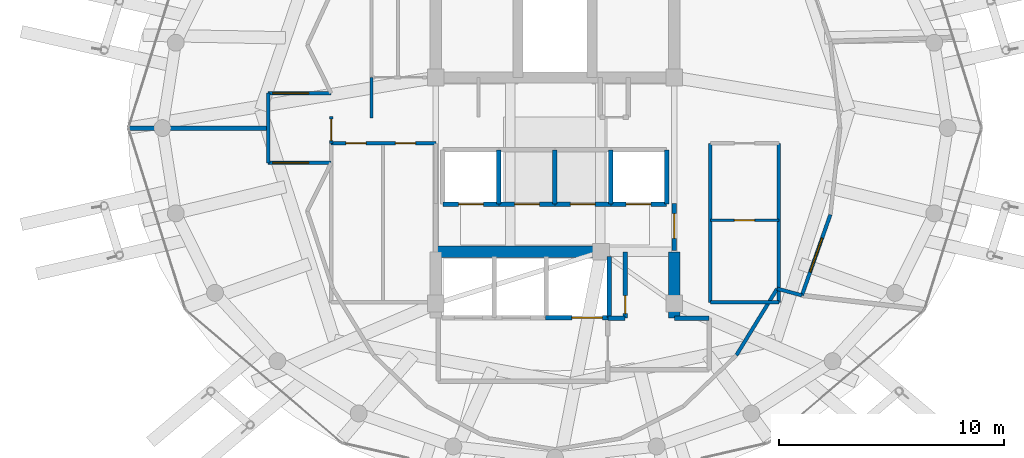
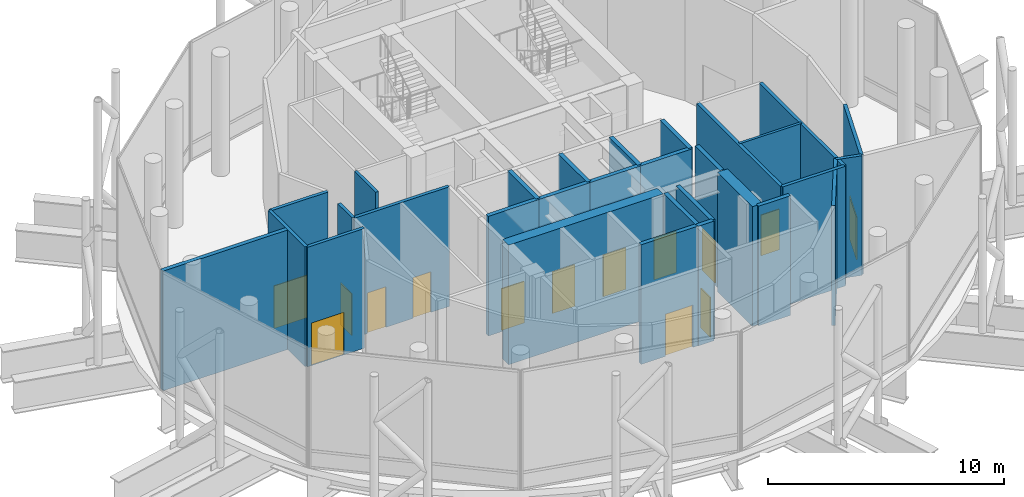
# One storey, part 21 of 26: 30 walls, 14 doors, 14 openings.
"""IFC4 building model written with IfcOpenShell, lengths in metres."""

from ifc_helpers import new_model, si_unit, direction, frame, frame_2d, origin, place, context, subcontext, project, spatial, rectangle, extrude, material, layer, layer_set, type_object, element, fill, save


model = new_model("IFC4")

# Units and contexts
model_context = context("Model", 3, precision=1e-05, world=origin(), true_north=direction((0.0, 1.0)))
body_context = subcontext(model_context, "Body", "Model", "MODEL_VIEW")
ifc_project = project(units=[si_unit("LENGTHUNIT", "METRE"), si_unit("AREAUNIT", "SQUARE_METRE"), si_unit("VOLUMEUNIT", "CUBIC_METRE"), si_unit("PLANEANGLEUNIT", "RADIAN"), si_unit("MASSUNIT", "GRAM", prefix="KILO")], contexts=[model_context])

# Site, building, storey
site_placement = place(None, origin())
site = spatial("IfcSite", under=ifc_project, at=site_placement, CompositionType="ELEMENT")
building_placement = place(site_placement, origin())
building = spatial("IfcBuilding", under=site, at=building_placement, Name="Nuhasar Tower", CompositionType="ELEMENT")
storey_placement = place(building_placement, frame((0.0, 0.0, 306.800048828125)))
storey = spatial("IfcBuildingStorey", under=building, at=storey_placement, Name="L76", CompositionType="ELEMENT", Elevation=306.800048828125)

# Walls
ifc_material_1 = material(Name="Concrete C50/60", Category="concrete")
ifc_layer_1 = layer(ifc_material_1, 0.5)
ifc_layer_set_1 = layer_set([ifc_layer_1], Name="Concrete C50/60")
wall_type_1 = type_object("IfcWallType", Name="WL-CORE-500", PredefinedType="SHEAR", material=ifc_layer_set_1)
wall_1_placement = place(storey_placement, frame((44.300048828125, 18.35009765625, 0.0), z_axis=(0.0, 0.0, 1.0), x_axis=(0.0, 1.0, 0.0)))
element("IfcWall", 1, at=wall_1_placement, inside=storey, type_object=wall_type_1, Name="L76 Core Shear Wall CW-SE CW-500", PredefinedType="SHEAR", context=body_context, shape_type="SweptSolid", body=[
    extrude(rectangle(XDim=2.949951171875, YDim=0.5, at=frame_2d((1.47509765625, 0.0))), origin(), (0.0, 0.0, 1.0), 6.179931640625),
])
wall_2_placement = place(storey_placement, frame((33.699951171875, 21.300048828125, 0.0), z_axis=(0.0, 0.0, 1.0), x_axis=(1.0, 0.0, 0.0)))
element("IfcWall", 2, at=wall_2_placement, inside=storey, type_object=wall_type_1, Name="L76 Core Shear Wall CW-S1 CW-500", PredefinedType="SHEAR", context=body_context, shape_type="SweptSolid", body=[
    extrude(rectangle(XDim=7.550048828125, YDim=0.5, at=frame_2d((3.77490234375, 0.0))), origin(), (0.0, 0.0, 1.0), 6.179931640625),
])

# Wall, openings, doors
ifc_material_2 = material(Name="Gypsum Board", Category="gypsum")
ifc_layer_2 = layer(ifc_material_2, 0.159912109375)
ifc_layer_set_2 = layer_set([ifc_layer_2], Name="Gypsum Board")
wall_type_2 = type_object("IfcWallType", Name="WL-CORR-160", PredefinedType="PARTITIONING", material=ifc_layer_set_2)
wall_3_placement = place(storey_placement, frame((33.699951171875, 26.1201171875, 0.0), z_axis=(0.0, 0.0, 1.0), x_axis=(-1.0, 0.0, 0.0)))
wall_3 = element("IfcWall", 3, at=wall_3_placement, inside=storey, type_object=wall_type_2, Name="L76 Interior Partition RECL-B1-N", PredefinedType="PARTITIONING", context=body_context, shape_type="SweptSolid", body=[
    extrude(rectangle(XDim=4.64990234375, YDim=0.159912109375, at=frame_2d((2.324951171875, 0.0))), origin(), (0.0, 0.0, 1.0), 6.179931640625),
])
opening_1_placement = place(wall_3_placement, frame((3.10009765625, 0.0, 0.0)))
opening_1 = element("IfcOpeningElement", 4, at=opening_1_placement, cuts=wall_3, Name="Opening DR-01", PredefinedType="OPENING", context=body_context, shape_type="SweptSolid", body=[
    extrude(rectangle(XDim=0.89990234375, YDim=2.10009765625, at=frame_2d((0.449951171875, 1.050048828125))), frame((0.0, 0.08984375, 0.0), z_axis=(0.0, -1.0, 0.0), x_axis=(1.0, 0.0, 0.0)), (0.0, 0.0, 1.0), 0.179931640625),
])
opening_2_placement = place(wall_3_placement, frame((0.89990234375, 0.0, 0.0)))
opening_2 = element("IfcOpeningElement", 5, at=opening_2_placement, cuts=wall_3, Name="Opening DR-01", PredefinedType="OPENING", context=body_context, shape_type="SweptSolid", body=[
    extrude(rectangle(XDim=0.89990234375, YDim=2.10009765625, at=frame_2d((0.449951171875, 1.050048828125))), frame((0.0, 0.08984375, 0.0), z_axis=(0.0, -1.0, 0.0), x_axis=(1.0, 0.0, 0.0)), (0.0, 0.0, 1.0), 0.179931640625),
])
ifc_material_3 = material(Name="Timber Oak", Category="wood")
door_type_1 = type_object("IfcDoorType", Name="DR-ROOM-900", OperationType="NOTDEFINED", PredefinedType="DOOR", material=ifc_material_3)
door_1_placement = place(opening_1_placement, origin())
door_1 = element("IfcDoor", 6, at=door_1_placement, inside=storey, type_object=door_type_1, Name="L76 Housekeeping Door", OperationType="SINGLE_SWING_RIGHT", OverallHeight=2.10009765625, OverallWidth=0.89990234375, PredefinedType="DOOR", context=body_context, shape_type="SweptSolid", body=[
    extrude(rectangle(XDim=0.89990234375, YDim=2.10009765625, at=frame_2d((0.449951171875, 1.050048828125))), frame((0.0, 0.02490234375, 0.0), z_axis=(0.0, -1.0, 0.0), x_axis=(1.0, 0.0, 0.0)), (0.0, 0.0, 1.0), 0.050048828125),
])
fill(opening_1, door_1)
door_2_placement = place(opening_2_placement, origin())
door_2 = element("IfcDoor", 7, at=door_2_placement, inside=storey, type_object=door_type_1, Name="L76 Valet Pantry Door", OperationType="SINGLE_SWING_LEFT", OverallHeight=2.10009765625, OverallWidth=0.89990234375, PredefinedType="DOOR", context=body_context, shape_type="SweptSolid", body=[
    extrude(rectangle(XDim=0.89990234375, YDim=2.10009765625, at=frame_2d((0.449951171875, 1.050048828125))), frame((0.0, 0.02490234375, 0.0), z_axis=(0.0, -1.0, 0.0), x_axis=(1.0, 0.0, 0.0)), (0.0, 0.0, 1.0), 0.050048828125),
])
fill(opening_2, door_2)

# Walls
wall_4_placement = place(storey_placement, frame((45.89990234375, 19.050048828125, 0.0), z_axis=(0.0, 0.0, 1.0), x_axis=(1.0, 0.0, 0.0)))
element("IfcWall", 8, at=wall_4_placement, inside=storey, type_object=wall_type_2, Name="L76 Interior Partition RECL-B2-S", PredefinedType="PARTITIONING", context=body_context, shape_type="SweptSolid", body=[
    extrude(rectangle(XDim=3.050048828125, YDim=0.159912109375, at=frame_2d((1.52490234375, 0.0))), origin(), (0.0, 0.0, 1.0), 6.179931640625),
])
for number, where, z_axis, x_axis, name in (
    (9, (48.949951171875, 19.050048828125, 0.0), (0.0, 0.0, 1.0), (0.0, 1.0, 0.0), "L76 Interior Partition RECL-B2-E"),
    (10, (45.89990234375, 19.050048828125, 0.0), (0.0, 0.0, 1.0), (0.0, 1.0, 0.0), "L76 Interior Partition RECL-B2-W"),
):
    element("IfcWall", number, at=place(storey_placement, frame(where, z_axis=z_axis, x_axis=x_axis)), inside=storey, type_object=wall_type_2, Name=name, PredefinedType="PARTITIONING", context=body_context, shape_type="SweptSolid", body=[
        extrude(rectangle(XDim=7.070068359375, YDim=0.159912109375, at=frame_2d((3.53515625, 0.0))), origin(), (0.0, 0.0, 1.0), 6.179931640625),
    ])

# Wall, opening, door
wall_5_placement = place(storey_placement, frame((29.050048828125, 26.1201171875, 0.0), z_axis=(0.0, 0.0, 1.0), x_axis=(0.0, 1.0, 0.0)))
wall_5 = element("IfcWall", 11, at=wall_5_placement, inside=storey, type_object=wall_type_2, Name="L76 Interior Partition WVEST-E", PredefinedType="PARTITIONING", context=body_context, shape_type="SweptSolid", body=[
    extrude(rectangle(XDim=1.199951171875, YDim=0.159912109375, at=frame_2d((0.60009765625, 0.0))), origin(), (0.0, 0.0, 1.0), 6.179931640625),
])
opening_3_placement = place(wall_5_placement, frame((0.125, 0.0, 0.0)))
opening_3 = element("IfcOpeningElement", 12, at=opening_3_placement, cuts=wall_5, Name="Opening DO-01", PredefinedType="OPENING", context=body_context, shape_type="SweptSolid", body=[
    extrude(rectangle(XDim=0.949951171875, YDim=2.14990234375, at=frame_2d((0.47509765625, 1.074951171875))), frame((0.0, 0.08984375, 0.0), z_axis=(0.0, -1.0, 0.0), x_axis=(1.0, 0.0, 0.0)), (0.0, 0.0, 1.0), 0.179931640625),
])
door_type_2 = type_object("IfcDoorType", Name="DR-OFFICE-FD30-950", OperationType="NOTDEFINED", PredefinedType="DOOR", material=ifc_material_3)
door_3_placement = place(opening_3_placement, origin())
door_3 = element("IfcDoor", 13, at=door_3_placement, inside=storey, type_object=door_type_2, Name="L76 West Arrival Foyer Core Door", OperationType="SINGLE_SWING_RIGHT", OverallHeight=2.14990234375, OverallWidth=0.949951171875, PredefinedType="DOOR", context=body_context, shape_type="SweptSolid", body=[
    extrude(rectangle(XDim=0.949951171875, YDim=2.14990234375, at=frame_2d((0.47509765625, 1.074951171875))), frame((0.0, 0.02490234375, 0.0), z_axis=(0.0, -1.0, 0.0), x_axis=(1.0, 0.0, 0.0)), (0.0, 0.0, 1.0), 0.050048828125),
])
fill(opening_3, door_3)

wall_6_placement = place(storey_placement, frame((51.238037109375, 22.950927734375, 0.0), z_axis=(0.0, 0.0, 1.0), x_axis=(-0.332705930675, -0.943030627124, 0.0)))
wall_6 = element("IfcWall", 14, at=wall_6_placement, inside=storey, type_object=wall_type_2, Name="L76 Interior Partition CORR-44", PredefinedType="PARTITIONING", context=body_context, shape_type="SweptSolid", body=[
    extrude(rectangle(XDim=3.802490234375, YDim=0.159912109375, at=frame_2d((1.9013671875, 0.0))), origin(), (0.0, 0.0, 1.0), 6.179931640625),
])
opening_4_placement = place(wall_6_placement, frame((1.10107421875, 0.0, 0.0)))
opening_4 = element("IfcOpeningElement", 15, at=opening_4_placement, cuts=wall_6, Name="Opening DC-01", PredefinedType="OPENING", context=body_context, shape_type="SweptSolid", body=[
    extrude(rectangle(XDim=1.60009765625, YDim=2.199951171875, at=frame_2d((0.800048828125, 1.10009765625))), frame((0.0, 0.08984375, 0.0), z_axis=(0.0, -1.0, 0.0), x_axis=(1.0, 0.0, 0.0)), (0.0, 0.0, 1.0), 0.179931640625),
])
ifc_material_4 = material(Name="Steel S355", Category="steel")
door_type_3 = type_object("IfcDoorType", Name="DR-CORR-FD60-1600", OperationType="DOUBLE_DOOR_SINGLE_SWING", PredefinedType="DOOR", material=ifc_material_4)
door_4_placement = place(opening_4_placement, origin())
door_4 = element("IfcDoor", 16, at=door_4_placement, inside=storey, type_object=door_type_3, Name="L76 South-East Management Office Door", OperationType="DOUBLE_DOOR_SINGLE_SWING", OverallHeight=2.199951171875, OverallWidth=1.60009765625, PredefinedType="DOOR", context=body_context, shape_type="SweptSolid", body=[
    extrude(rectangle(XDim=1.60009765625, YDim=2.199951171875, at=frame_2d((0.800048828125, 1.10009765625))), frame((0.0, 0.02490234375, 0.0), z_axis=(0.0, -1.0, 0.0), x_axis=(1.0, 0.0, 0.0)), (0.0, 0.0, 1.0), 0.050048828125),
])
fill(opening_4, door_4)

# Walls
wall_7_placement = place(storey_placement, frame((48.873046875, 19.659912109375, 0.0), z_axis=(0.0, 0.0, 1.0), x_axis=(0.965878165217, -0.258996853181, 0.0)))
element("IfcWall", 17, at=wall_7_placement, inside=storey, type_object=wall_type_2, Name="L76 Interior Partition SRAD-44-IN", PredefinedType="PARTITIONING", context=body_context, shape_type="SweptSolid", body=[
    extrude(rectangle(XDim=1.138671875, YDim=0.159912109375, at=frame_2d((0.5693359375, 0.0))), origin(), (0.0, 0.0, 1.0), 6.179931640625),
])
wall_8_placement = place(storey_placement, frame((47.06103515625, 16.702880859375, 0.0), z_axis=(0.0, 0.0, 1.0), x_axis=(0.522486120877, 0.852647789823, 0.0)))
element("IfcWall", 18, at=wall_8_placement, inside=storey, type_object=wall_type_2, Name="L76 Interior Partition SWEST-CORE-S-42", PredefinedType="PARTITIONING", context=body_context, shape_type="SweptSolid", body=[
    extrude(rectangle(XDim=3.468017578125, YDim=0.159912109375, at=frame_2d((1.73388671875, 0.0))), origin(), (0.0, 0.0, 1.0), 6.179931640625),
])

# Wall, opening, door
wall_9_placement = place(storey_placement, frame((26.25, 28.35009765625, 0.0), z_axis=(0.0, 0.0, 1.0), x_axis=(1.0, 0.0, 0.0)))
wall_9 = element("IfcWall", 19, at=wall_9_placement, inside=storey, type_object=wall_type_2, Name="L76 Interior Partition WVEST-N", PredefinedType="PARTITIONING", context=body_context, shape_type="SweptSolid", body=[
    extrude(rectangle(XDim=2.800048828125, YDim=0.159912109375, at=frame_2d((1.39990234375, 0.0))), origin(), (0.0, 0.0, 1.0), 6.179931640625),
])
opening_5_placement = place(wall_9_placement, frame((0.199951171875, 0.0, 0.0)))
opening_5 = element("IfcOpeningElement", 20, at=opening_5_placement, cuts=wall_9, Name="Opening DC-01", PredefinedType="OPENING", context=body_context, shape_type="SweptSolid", body=[
    extrude(rectangle(XDim=1.60009765625, YDim=2.199951171875, at=frame_2d((0.800048828125, 1.10009765625))), frame((0.0, 0.08984375, 0.0), z_axis=(0.0, -1.0, 0.0), x_axis=(1.0, 0.0, 0.0)), (0.0, 0.0, 1.0), 0.179931640625),
])
door_5_placement = place(opening_5_placement, origin())
door_5 = element("IfcDoor", 21, at=door_5_placement, inside=storey, type_object=door_type_3, Name="L76 North-West Catering Kitchen Entrance", OperationType="DOUBLE_DOOR_SINGLE_SWING", OverallHeight=2.199951171875, OverallWidth=1.60009765625, PredefinedType="DOOR", context=body_context, shape_type="SweptSolid", body=[
    extrude(rectangle(XDim=1.60009765625, YDim=2.199951171875, at=frame_2d((0.800048828125, 1.10009765625))), frame((0.0, 0.02490234375, 0.0), z_axis=(0.0, -1.0, 0.0), x_axis=(1.0, 0.0, 0.0)), (0.0, 0.0, 1.0), 0.050048828125),
])
fill(opening_5, door_5)

wall_10_placement = place(storey_placement, frame((26.25, 25.25, 0.0), z_axis=(0.0, 0.0, 1.0), x_axis=(1.0, 0.0, 0.0)))
wall_10 = element("IfcWall", 22, at=wall_10_placement, inside=storey, type_object=wall_type_2, Name="L76 Interior Partition WVEST-S", PredefinedType="PARTITIONING", context=body_context, shape_type="SweptSolid", body=[
    extrude(rectangle(XDim=2.800048828125, YDim=0.159912109375, at=frame_2d((1.39990234375, 0.0))), origin(), (0.0, 0.0, 1.0), 6.179931640625),
])
opening_6_placement = place(wall_10_placement, frame((0.199951171875, 0.0, 0.0)))
opening_6 = element("IfcOpeningElement", 23, at=opening_6_placement, cuts=wall_10, Name="Opening DC-01", PredefinedType="OPENING", context=body_context, shape_type="SweptSolid", body=[
    extrude(rectangle(XDim=1.60009765625, YDim=2.199951171875, at=frame_2d((0.800048828125, 1.10009765625))), frame((0.0, 0.08984375, 0.0), z_axis=(0.0, -1.0, 0.0), x_axis=(1.0, 0.0, 0.0)), (0.0, 0.0, 1.0), 0.179931640625),
])
door_6_placement = place(opening_6_placement, origin())
door_6 = element("IfcDoor", 24, at=door_6_placement, inside=storey, type_object=door_type_3, Name="L76 South-West Boutique Entrance", OperationType="DOUBLE_DOOR_SINGLE_SWING", OverallHeight=2.199951171875, OverallWidth=1.60009765625, PredefinedType="DOOR", context=body_context, shape_type="SweptSolid", body=[
    extrude(rectangle(XDim=1.60009765625, YDim=2.199951171875, at=frame_2d((0.800048828125, 1.10009765625))), frame((0.0, 0.02490234375, 0.0), z_axis=(0.0, -1.0, 0.0), x_axis=(1.0, 0.0, 0.0)), (0.0, 0.0, 1.0), 0.050048828125),
])
fill(opening_6, door_6)

# Wall
wall_11_placement = place(storey_placement, frame((26.25, 25.25, 0.0), z_axis=(0.0, 0.0, 1.0), x_axis=(0.0, 1.0, 0.0)))
element("IfcWall", 25, at=wall_11_placement, inside=storey, type_object=wall_type_2, Name="L76 Interior Partition WVEST-W", PredefinedType="PARTITIONING", context=body_context, shape_type="SweptSolid", body=[
    extrude(rectangle(XDim=3.10009765625, YDim=0.159912109375, at=frame_2d((1.550048828125, 0.0))), origin(), (0.0, 0.0, 1.0), 6.179931640625),
])

# Wall, opening, door
ifc_material_5 = material(Name="Concrete C45/55", Category="concrete")
ifc_layer_3 = layer(ifc_material_5, 0.199951171875)
ifc_layer_set_3 = layer_set([ifc_layer_3], Name="Concrete C45/55")
wall_type_3 = type_object("IfcWallType", Name="WL-LOBBY-200", PredefinedType="SOLIDWALL", material=ifc_layer_set_3)
wall_12_placement = place(storey_placement, frame((44.300048828125, 21.35009765625, 0.0), z_axis=(0.0, 0.0, 1.0), x_axis=(0.0, 1.0, 0.0)))
wall_12 = element("IfcWall", 26, at=wall_12_placement, inside=storey, type_object=wall_type_3, Name="L76 Interior Partition LLBH-E", PredefinedType="SOLIDWALL", context=body_context, shape_type="SweptSolid", body=[
    extrude(rectangle(XDim=2.099853515625, YDim=0.199951171875, at=frame_2d((1.0498046875, 0.0))), origin(), (0.0, 0.0, 1.0), 6.179931640625),
])
opening_7_placement = place(wall_12_placement, frame((0.550048828125, 0.0, 0.0)))
opening_7 = element("IfcOpeningElement", 27, at=opening_7_placement, cuts=wall_12, Name="Opening DS-02", PredefinedType="OPENING", context=body_context, shape_type="SweptSolid", body=[
    extrude(rectangle(XDim=1.10009765625, YDim=2.14990234375, at=frame_2d((0.550048828125, 1.074951171875))), frame((0.0, 0.10986328125, 0.0), z_axis=(0.0, -1.0, 0.0), x_axis=(1.0, 0.0, 0.0)), (0.0, 0.0, 1.0), 0.219970703125),
])
door_type_4 = type_object("IfcDoorType", Name="DR-FFL-FD120-1100", OperationType="NOTDEFINED", PredefinedType="DOOR", material=ifc_material_4)
door_7_placement = place(opening_7_placement, origin())
door_7 = element("IfcDoor", 28, at=door_7_placement, inside=storey, type_object=door_type_4, Name="L76 High-Rise Lobby East Door", OperationType="SINGLE_SWING_RIGHT", OverallHeight=2.14990234375, OverallWidth=1.10009765625, PredefinedType="DOOR", context=body_context, shape_type="SweptSolid", body=[
    extrude(rectangle(XDim=1.10009765625, YDim=2.14990234375, at=frame_2d((0.550048828125, 1.074951171875))), frame((0.0, 0.02490234375, 0.0), z_axis=(0.0, -1.0, 0.0), x_axis=(1.0, 0.0, 0.0)), (0.0, 0.0, 1.0), 0.050048828125),
])
fill(opening_7, door_7)

# Wall
wall_13_placement = place(storey_placement, frame((44.300048828125, 18.35009765625, 0.0), z_axis=(0.0, 0.0, 1.0), x_axis=(1.0, 0.0, 0.0)))
element("IfcWall", 29, at=wall_13_placement, inside=storey, type_object=wall_type_3, Name="L76 Interior Partition SVLV-N", PredefinedType="SOLIDWALL", context=body_context, shape_type="SweptSolid", body=[
    extrude(rectangle(XDim=1.550048828125, YDim=0.199951171875, at=frame_2d((0.77490234375, 0.0))), origin(), (0.0, 0.0, 1.0), 6.179931640625),
])

# Wall, opening, door
ifc_layer_4 = layer(ifc_material_2, 0.125)
ifc_layer_set_4 = layer_set([ifc_layer_4], Name="Gypsum Board")
wall_type_4 = type_object("IfcWallType", Name="WL-PART-125", PredefinedType="PARTITIONING", material=ifc_layer_set_4)
wall_14_placement = place(storey_placement, frame((48.949951171875, 22.699951171875, 0.0), z_axis=(0.0, 0.0, 1.0), x_axis=(-1.0, 0.0, 0.0)))
wall_14 = element("IfcWall", 30, at=wall_14_placement, inside=storey, type_object=wall_type_4, Name="L76 Interior Partition RECL-B2-M", PredefinedType="PARTITIONING", context=body_context, shape_type="SweptSolid", body=[
    extrude(rectangle(XDim=3.050048828125, YDim=0.125, at=frame_2d((1.52490234375, 0.0))), origin(), (0.0, 0.0, 1.0), 6.179931640625),
])
opening_8_placement = place(wall_14_placement, frame((1.074951171875, 0.0, 0.0)))
opening_8 = element("IfcOpeningElement", 31, at=opening_8_placement, cuts=wall_14, Name="Opening DR-01", PredefinedType="OPENING", context=body_context, shape_type="SweptSolid", body=[
    extrude(rectangle(XDim=0.89990234375, YDim=2.10009765625, at=frame_2d((0.449951171875, 1.050048828125))), frame((0.0, 0.072509765625, 0.0), z_axis=(0.0, -1.0, 0.0), x_axis=(1.0, 0.0, 0.0)), (0.0, 0.0, 1.0), 0.14501953125),
])
door_8_placement = place(opening_8_placement, origin())
door_8 = element("IfcDoor", 32, at=door_8_placement, inside=storey, type_object=door_type_1, Name="L76 Inner Vault Door", OperationType="SINGLE_SWING_RIGHT", OverallHeight=2.10009765625, OverallWidth=0.89990234375, PredefinedType="DOOR", context=body_context, shape_type="SweptSolid", body=[
    extrude(rectangle(XDim=0.89990234375, YDim=2.10009765625, at=frame_2d((0.449951171875, 1.050048828125))), frame((0.0, 0.02490234375, 0.0), z_axis=(0.0, -1.0, 0.0), x_axis=(1.0, 0.0, 0.0)), (0.0, 0.0, 1.0), 0.050048828125),
])
fill(opening_8, door_8)

ifc_layer_5 = layer(ifc_material_5, 0.199951171875)
ifc_layer_set_5 = layer_set([ifc_layer_5], Name="Concrete C45/55")
wall_type_5 = type_object("IfcWallType", Name="WL-SHAFT-200", PredefinedType="SOLIDWALL", material=ifc_layer_set_5)
wall_15_placement = place(storey_placement, frame((34.02001953125, 23.419921875, 0.0), z_axis=(0.0, 0.0, 1.0), x_axis=(1.0, 0.0, 0.0)))
wall_15 = element("IfcWall", 33, at=wall_15_placement, inside=storey, type_object=wall_type_5, Name="L76 Interior Partition SHF-PL-H01-S", PredefinedType="SOLIDWALL", context=body_context, shape_type="SweptSolid", body=[
    extrude(rectangle(XDim=2.5, YDim=0.199951171875, at=frame_2d((1.25, 0.0))), origin(), (0.0, 0.0, 1.0), 6.179931640625),
])
opening_9_placement = place(wall_15_placement, frame((0.699951171875, 0.0, 0.0)))
opening_9 = element("IfcOpeningElement", 34, at=opening_9_placement, cuts=wall_15, Name="Opening LD-H01", PredefinedType="OPENING", context=body_context, shape_type="SweptSolid", body=[
    extrude(rectangle(XDim=1.10009765625, YDim=2.14990234375, at=frame_2d((0.550048828125, 1.074951171875))), frame((0.0, 0.10986328125, 0.0), z_axis=(0.0, -1.0, 0.0), x_axis=(1.0, 0.0, 0.0)), (0.0, 0.0, 1.0), 0.219970703125),
])
ifc_material_6 = material(Name="Stainless Steel 316L", Category="steel")
door_type_5 = type_object("IfcDoorType", Name="LD-PAX-1100", OperationType="DOUBLE_DOOR_SLIDING", PredefinedType="DOOR", material=ifc_material_6)
door_9_placement = place(opening_9_placement, origin())
door_9 = element("IfcDoor", 35, at=door_9_placement, inside=storey, type_object=door_type_5, Name="L76 Lift Landing Door PL-H01", OperationType="DOUBLE_DOOR_SLIDING", OverallHeight=2.14990234375, OverallWidth=1.10009765625, PredefinedType="DOOR", context=body_context, shape_type="SweptSolid", body=[
    extrude(rectangle(XDim=1.10009765625, YDim=2.14990234375, at=frame_2d((0.550048828125, 1.074951171875))), frame((0.0, 0.02490234375, 0.0), z_axis=(0.0, -1.0, 0.0), x_axis=(1.0, 0.0, 0.0)), (0.0, 0.0, 1.0), 0.050048828125),
])
fill(opening_9, door_9)

# Wall
wall_16_placement = place(storey_placement, frame((36.510009765625, 23.419921875, 0.0), z_axis=(0.0, 0.0, 1.0), x_axis=(0.0, 1.0, 0.0)))
element("IfcWall", 36, at=wall_16_placement, inside=storey, type_object=wall_type_5, Name="L76 Interior Partition SHF-PL-H01-E", PredefinedType="SOLIDWALL", context=body_context, shape_type="SweptSolid", body=[
    extrude(rectangle(XDim=2.41015625, YDim=0.199951171875, at=frame_2d((1.205078125, 0.0))), origin(), (0.0, 0.0, 1.0), 6.179931640625),
])

# Wall, opening, door
wall_17_placement = place(storey_placement, frame((36.5, 23.419921875, 0.0), z_axis=(0.0, 0.0, 1.0), x_axis=(1.0, 0.0, 0.0)))
wall_17 = element("IfcWall", 37, at=wall_17_placement, inside=storey, type_object=wall_type_5, Name="L76 Interior Partition SHF-PL-H02-S", PredefinedType="SOLIDWALL", context=body_context, shape_type="SweptSolid", body=[
    extrude(rectangle(XDim=2.5, YDim=0.199951171875, at=frame_2d((1.25, 0.0))), origin(), (0.0, 0.0, 1.0), 6.179931640625),
])
opening_10_placement = place(wall_17_placement, frame((0.699951171875, 0.0, 0.0)))
opening_10 = element("IfcOpeningElement", 38, at=opening_10_placement, cuts=wall_17, Name="Opening LD-H02", PredefinedType="OPENING", context=body_context, shape_type="SweptSolid", body=[
    extrude(rectangle(XDim=1.10009765625, YDim=2.14990234375, at=frame_2d((0.550048828125, 1.074951171875))), frame((0.0, 0.10986328125, 0.0), z_axis=(0.0, -1.0, 0.0), x_axis=(1.0, 0.0, 0.0)), (0.0, 0.0, 1.0), 0.219970703125),
])
door_10_placement = place(opening_10_placement, origin())
door_10 = element("IfcDoor", 39, at=door_10_placement, inside=storey, type_object=door_type_5, Name="L76 Lift Landing Door PL-H02", OperationType="DOUBLE_DOOR_SLIDING", OverallHeight=2.14990234375, OverallWidth=1.10009765625, PredefinedType="DOOR", context=body_context, shape_type="SweptSolid", body=[
    extrude(rectangle(XDim=1.10009765625, YDim=2.14990234375, at=frame_2d((0.550048828125, 1.074951171875))), frame((0.0, 0.02490234375, 0.0), z_axis=(0.0, -1.0, 0.0), x_axis=(1.0, 0.0, 0.0)), (0.0, 0.0, 1.0), 0.050048828125),
])
fill(opening_10, door_10)

# Wall
wall_18_placement = place(storey_placement, frame((38.989990234375, 23.419921875, 0.0), z_axis=(0.0, 0.0, 1.0), x_axis=(0.0, 1.0, 0.0)))
element("IfcWall", 40, at=wall_18_placement, inside=storey, type_object=wall_type_5, Name="L76 Interior Partition SHF-PL-H02-E", PredefinedType="SOLIDWALL", context=body_context, shape_type="SweptSolid", body=[
    extrude(rectangle(XDim=2.41015625, YDim=0.199951171875, at=frame_2d((1.205078125, 0.0))), origin(), (0.0, 0.0, 1.0), 6.179931640625),
])

# Wall, opening, door
wall_19_placement = place(storey_placement, frame((38.97998046875, 23.419921875, 0.0), z_axis=(0.0, 0.0, 1.0), x_axis=(1.0, 0.0, 0.0)))
wall_19 = element("IfcWall", 41, at=wall_19_placement, inside=storey, type_object=wall_type_5, Name="L76 Interior Partition SHF-PL-H03-S", PredefinedType="SOLIDWALL", context=body_context, shape_type="SweptSolid", body=[
    extrude(rectangle(XDim=2.5, YDim=0.199951171875, at=frame_2d((1.25, 0.0))), origin(), (0.0, 0.0, 1.0), 6.179931640625),
])
opening_11_placement = place(wall_19_placement, frame((0.699951171875, 0.0, 0.0)))
opening_11 = element("IfcOpeningElement", 42, at=opening_11_placement, cuts=wall_19, Name="Opening LD-H03", PredefinedType="OPENING", context=body_context, shape_type="SweptSolid", body=[
    extrude(rectangle(XDim=1.10009765625, YDim=2.14990234375, at=frame_2d((0.550048828125, 1.074951171875))), frame((0.0, 0.10986328125, 0.0), z_axis=(0.0, -1.0, 0.0), x_axis=(1.0, 0.0, 0.0)), (0.0, 0.0, 1.0), 0.219970703125),
])
door_11_placement = place(opening_11_placement, origin())
door_11 = element("IfcDoor", 43, at=door_11_placement, inside=storey, type_object=door_type_5, Name="L76 Lift Landing Door PL-H03", OperationType="DOUBLE_DOOR_SLIDING", OverallHeight=2.14990234375, OverallWidth=1.10009765625, PredefinedType="DOOR", context=body_context, shape_type="SweptSolid", body=[
    extrude(rectangle(XDim=1.10009765625, YDim=2.14990234375, at=frame_2d((0.550048828125, 1.074951171875))), frame((0.0, 0.02490234375, 0.0), z_axis=(0.0, -1.0, 0.0), x_axis=(1.0, 0.0, 0.0)), (0.0, 0.0, 1.0), 0.050048828125),
])
fill(opening_11, door_11)

# Wall
wall_20_placement = place(storey_placement, frame((41.469970703125, 23.419921875, 0.0), z_axis=(0.0, 0.0, 1.0), x_axis=(0.0, 1.0, 0.0)))
element("IfcWall", 44, at=wall_20_placement, inside=storey, type_object=wall_type_5, Name="L76 Interior Partition SHF-PL-H03-E", PredefinedType="SOLIDWALL", context=body_context, shape_type="SweptSolid", body=[
    extrude(rectangle(XDim=2.41015625, YDim=0.199951171875, at=frame_2d((1.205078125, 0.0))), origin(), (0.0, 0.0, 1.0), 6.179931640625),
])

# Wall, opening, door
wall_21_placement = place(storey_placement, frame((41.4599609375, 23.419921875, 0.0), z_axis=(0.0, 0.0, 1.0), x_axis=(1.0, 0.0, 0.0)))
wall_21 = element("IfcWall", 45, at=wall_21_placement, inside=storey, type_object=wall_type_5, Name="L76 Interior Partition SHF-PL-H04-S", PredefinedType="SOLIDWALL", context=body_context, shape_type="SweptSolid", body=[
    extrude(rectangle(XDim=2.5, YDim=0.199951171875, at=frame_2d((1.25, 0.0))), origin(), (0.0, 0.0, 1.0), 6.179931640625),
])
opening_12_placement = place(wall_21_placement, frame((0.699951171875, 0.0, 0.0)))
opening_12 = element("IfcOpeningElement", 46, at=opening_12_placement, cuts=wall_21, Name="Opening LD-H04", PredefinedType="OPENING", context=body_context, shape_type="SweptSolid", body=[
    extrude(rectangle(XDim=1.10009765625, YDim=2.14990234375, at=frame_2d((0.550048828125, 1.074951171875))), frame((0.0, 0.10986328125, 0.0), z_axis=(0.0, -1.0, 0.0), x_axis=(1.0, 0.0, 0.0)), (0.0, 0.0, 1.0), 0.219970703125),
])
door_12_placement = place(opening_12_placement, origin())
door_12 = element("IfcDoor", 47, at=door_12_placement, inside=storey, type_object=door_type_5, Name="L76 Lift Landing Door PL-H04", OperationType="DOUBLE_DOOR_SLIDING", OverallHeight=2.14990234375, OverallWidth=1.10009765625, PredefinedType="DOOR", context=body_context, shape_type="SweptSolid", body=[
    extrude(rectangle(XDim=1.10009765625, YDim=2.14990234375, at=frame_2d((0.550048828125, 1.074951171875))), frame((0.0, 0.02490234375, 0.0), z_axis=(0.0, -1.0, 0.0), x_axis=(1.0, 0.0, 0.0)), (0.0, 0.0, 1.0), 0.050048828125),
])
fill(opening_12, door_12)

# Wall
wall_22_placement = place(storey_placement, frame((43.9599609375, 23.419921875, 0.0), z_axis=(0.0, 0.0, 1.0), x_axis=(0.0, 1.0, 0.0)))
element("IfcWall", 48, at=wall_22_placement, inside=storey, type_object=wall_type_5, Name="L76 Interior Partition SHF-PL-H04-E", PredefinedType="SOLIDWALL", context=body_context, shape_type="SweptSolid", body=[
    extrude(rectangle(XDim=2.41015625, YDim=0.199951171875, at=frame_2d((1.205078125, 0.0))), origin(), (0.0, 0.0, 1.0), 6.179931640625),
])

# Wall, opening, door
wall_23_placement = place(storey_placement, frame((38.570068359375, 18.3701171875, 0.0), z_axis=(0.0, 0.0, 1.0), x_axis=(1.0, 0.0, 0.0)))
wall_23 = element("IfcWall", 49, at=wall_23_placement, inside=storey, type_object=wall_type_5, Name="L76 Interior Partition SHF-SVL-01-S", PredefinedType="SOLIDWALL", context=body_context, shape_type="SweptSolid", body=[
    extrude(rectangle(XDim=2.829833984375, YDim=0.199951171875, at=frame_2d((1.4150390625, 0.0))), origin(), (0.0, 0.0, 1.0), 6.179931640625),
])
opening_13_placement = place(wall_23_placement, frame((1.179931640625, 0.0, 0.0)))
opening_13 = element("IfcOpeningElement", 50, at=opening_13_placement, cuts=wall_23, Name="Opening LD-S01", PredefinedType="OPENING", context=body_context, shape_type="SweptSolid", body=[
    extrude(rectangle(XDim=1.35009765625, YDim=2.179931640625, at=frame_2d((0.675048828125, 1.08984375))), frame((0.0, 0.10986328125, 0.0), z_axis=(0.0, -1.0, 0.0), x_axis=(1.0, 0.0, 0.0)), (0.0, 0.0, 1.0), 0.219970703125),
])
door_type_6 = type_object("IfcDoorType", Name="LD-SVL-1350", OperationType="DOUBLE_DOOR_SLIDING", PredefinedType="DOOR", material=ifc_material_6)
door_13_placement = place(opening_13_placement, origin())
door_13 = element("IfcDoor", 51, at=door_13_placement, inside=storey, type_object=door_type_6, Name="L76 Lift Landing Door SVL-01", OperationType="DOUBLE_DOOR_SLIDING", OverallHeight=2.179931640625, OverallWidth=1.35009765625, PredefinedType="DOOR", context=body_context, shape_type="SweptSolid", body=[
    extrude(rectangle(XDim=1.35009765625, YDim=2.179931640625, at=frame_2d((0.675048828125, 1.08984375))), frame((0.0, 0.02490234375, 0.0), z_axis=(0.0, -1.0, 0.0), x_axis=(1.0, 0.0, 0.0)), (0.0, 0.0, 1.0), 0.050048828125),
])
fill(opening_13, door_13)

# Wall
wall_24_placement = place(storey_placement, frame((41.39990234375, 18.3701171875, 0.0), z_axis=(0.0, 0.0, 1.0), x_axis=(0.0, 1.0, 0.0)))
element("IfcWall", 52, at=wall_24_placement, inside=storey, type_object=wall_type_5, Name="L76 Interior Partition SHF-SVL-01-E", PredefinedType="SOLIDWALL", context=body_context, shape_type="SweptSolid", body=[
    extrude(rectangle(XDim=2.7099609375, YDim=0.199951171875, at=frame_2d((1.35498046875, 0.0))), origin(), (0.0, 0.0, 1.0), 6.179931640625),
])

# Wall, opening, door
wall_25_placement = place(storey_placement, frame((42.1201171875, 18.35009765625, 0.0), z_axis=(0.0, 0.0, 1.0), x_axis=(0.0, 1.0, 0.0)))
wall_25 = element("IfcWall", 53, at=wall_25_placement, inside=storey, type_object=wall_type_5, Name="L76 Interior Partition RSR-E", PredefinedType="SOLIDWALL", context=body_context, shape_type="SweptSolid", body=[
    extrude(rectangle(XDim=2.949951171875, YDim=0.199951171875, at=frame_2d((1.47509765625, 0.0))), origin(), (0.0, 0.0, 1.0), 6.179931640625),
])
opening_14_placement = place(wall_25_placement, frame((0.199951171875, 0.0, 0.0)))
opening_14 = element("IfcOpeningElement", 54, at=opening_14_placement, cuts=wall_25, Name="Opening DM-01", PredefinedType="OPENING", context=body_context, shape_type="SweptSolid", body=[
    extrude(rectangle(XDim=0.800048828125, YDim=2.050048828125, at=frame_2d((0.39990234375, 1.02490234375))), frame((0.0, 0.10986328125, 0.0), z_axis=(0.0, -1.0, 0.0), x_axis=(1.0, 0.0, 0.0)), (0.0, 0.0, 1.0), 0.219970703125),
])
door_type_7 = type_object("IfcDoorType", Name="DR-RISER-FD60-800", OperationType="NOTDEFINED", PredefinedType="DOOR", material=ifc_material_4)
door_14_placement = place(opening_14_placement, origin())
door_14 = element("IfcDoor", 55, at=door_14_placement, inside=storey, type_object=door_type_7, Name="L76 MEP Riser Access Door", OperationType="SINGLE_SWING_LEFT", OverallHeight=2.050048828125, OverallWidth=0.800048828125, PredefinedType="DOOR", context=body_context, shape_type="SweptSolid", body=[
    extrude(rectangle(XDim=0.800048828125, YDim=2.050048828125, at=frame_2d((0.39990234375, 1.02490234375))), frame((0.0, 0.02490234375, 0.0), z_axis=(0.0, -1.0, 0.0), x_axis=(1.0, 0.0, 0.0)), (0.0, 0.0, 1.0), 0.050048828125),
])
fill(opening_14, door_14)

# Walls
wall_26_placement = place(storey_placement, frame((41.35009765625, 18.35009765625, 0.0), z_axis=(0.0, 0.0, 1.0), x_axis=(1.0, 0.0, 0.0)))
element("IfcWall", 56, at=wall_26_placement, inside=storey, type_object=wall_type_5, Name="L76 Interior Partition RSR-S", PredefinedType="SOLIDWALL", context=body_context, shape_type="SweptSolid", body=[
    extrude(rectangle(XDim=0.77001953125, YDim=0.199951171875, at=frame_2d((0.385009765625, 0.0))), origin(), (0.0, 0.0, 1.0), 6.179931640625),
])
ifc_material_7 = material(Name="Concrete C40/50 precast", Category="concrete")
ifc_layer_6 = layer(ifc_material_7, 0.199951171875)
ifc_layer_set_6 = layer_set([ifc_layer_6], Name="Concrete C40/50 precast")
wall_type_6 = type_object("IfcWallType", Name="WL-UNIT-200", PredefinedType="PARTITIONING", material=ifc_layer_set_6)
wall_27_placement = place(storey_placement, frame((26.330078125, 26.800048828125, 0.0), z_axis=(0.0, 0.0, 1.0), x_axis=(-1.0, 0.0, 0.0)))
element("IfcWall", 57, at=wall_27_placement, inside=storey, type_object=wall_type_6, Name="L76 Interior Partition SWEST-DIV-S2", PredefinedType="PARTITIONING", context=body_context, shape_type="SweptSolid", body=[
    extrude(rectangle(XDim=6.255126953125, YDim=0.199951171875, at=frame_2d((3.12744140625, 0.0))), origin(), (0.0, 0.0, 1.0), 6.179931640625),
])
ifc_layer_7 = layer(ifc_material_7, 0.139892578125)
ifc_layer_set_7 = layer_set([ifc_layer_7], Name="Concrete C40/50 precast")
wall_type_7 = type_object("IfcWallType", Name="WL-WET-140", PredefinedType="PARTITIONING", material=ifc_layer_set_7)
wall_28_placement = place(storey_placement, frame((30.85009765625, 27.239990234375, 0.0), z_axis=(0.0, 0.0, 1.0), x_axis=(0.0, 1.0, 0.0)))
element("IfcWall", 58, at=wall_28_placement, inside=storey, type_object=wall_type_7, Name="L76 Interior Partition K2-FOY-W", PredefinedType="PARTITIONING", context=body_context, shape_type="SweptSolid", body=[
    extrude(rectangle(XDim=1.81005859375, YDim=0.139892578125, at=frame_2d((0.905029296875, 0.0))), origin(), (0.0, 0.0, 1.0), 6.179931640625),
])

save(model, "model.ifc")
